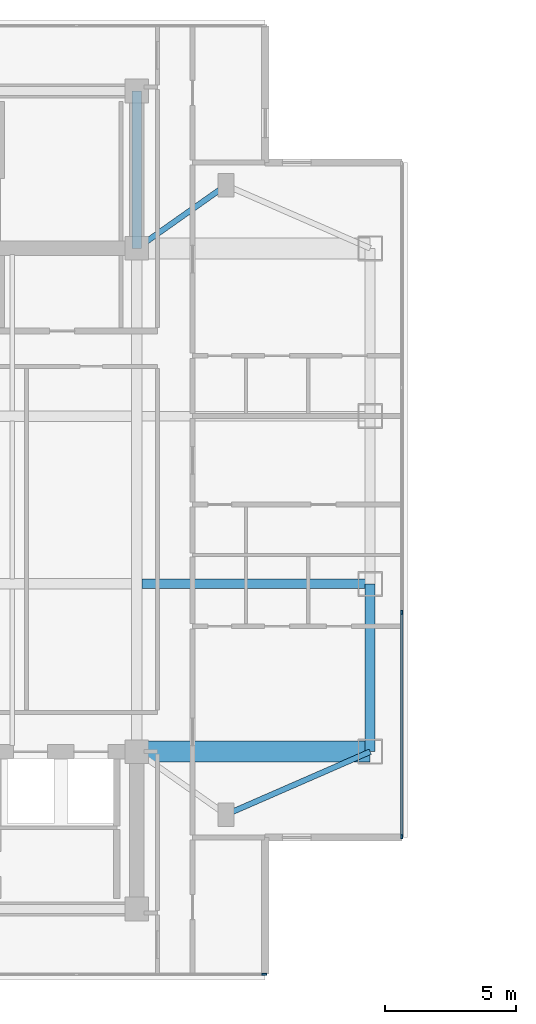
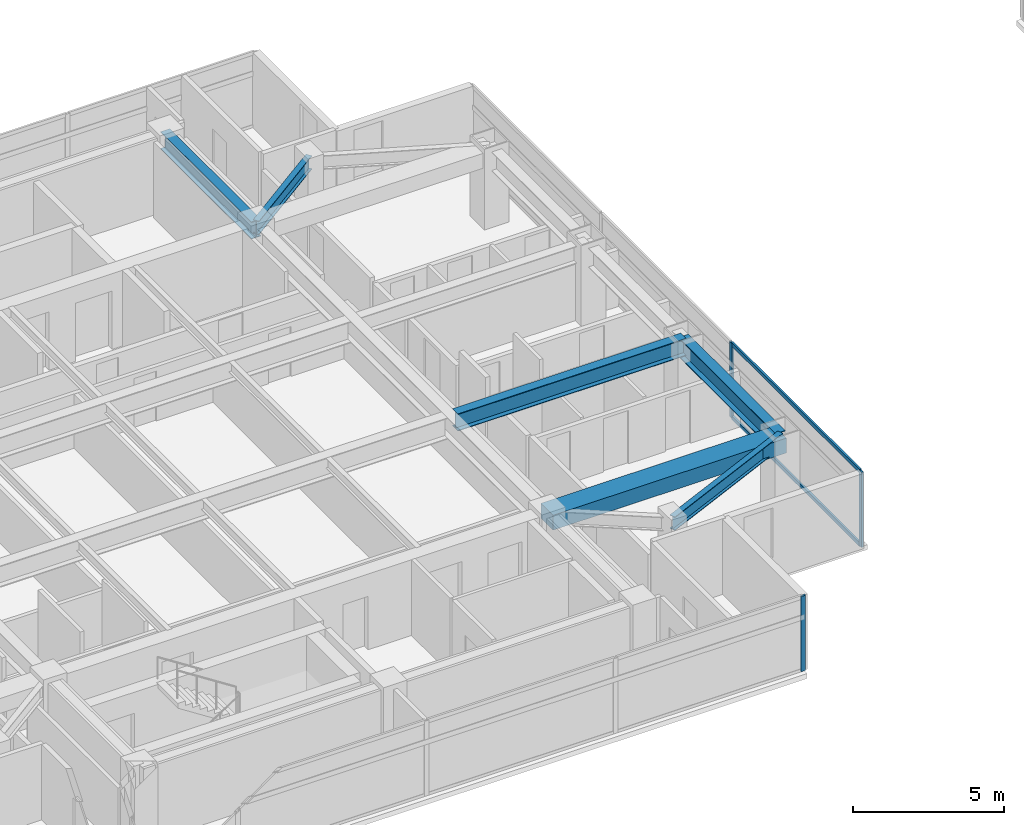
# One storey, part 4 of 24: 6 beams, 5 members, 2 elements without a shape of their own.
"""IFC4 building model written with IfcOpenShell, lengths in metres."""

from ifc_helpers import new_model, si_unit, direction, frame, origin, origin_2d, place, context, subcontext, project, spatial, rectangle, i_section, extrude, material, material_profile, profile_set, type_object, element, aggregate, save


model = new_model("IFC4")

# Units and contexts
model_context = context("Model", 3, precision=1e-05, world=origin(), true_north=direction((0.0, 1.0)))
body_context = subcontext(model_context, "Body", "Model", "MODEL_VIEW")
ifc_project = project(units=[si_unit("LENGTHUNIT", "METRE"), si_unit("AREAUNIT", "SQUARE_METRE"), si_unit("VOLUMEUNIT", "CUBIC_METRE"), si_unit("PLANEANGLEUNIT", "RADIAN"), si_unit("MASSUNIT", "GRAM", prefix="KILO")], contexts=[model_context])

# Site, building, storey
site_placement = place(None, origin())
site = spatial("IfcSite", under=ifc_project, at=site_placement, CompositionType="ELEMENT")
building_placement = place(site_placement, origin())
building = spatial("IfcBuilding", under=site, at=building_placement, Name="Mirazonda Arch Towers", CompositionType="ELEMENT")
storey_placement = place(building_placement, frame((0.0, 0.0, 186.89990234375)))
storey = spatial("IfcBuildingStorey", under=building, at=storey_placement, Name="L53", CompositionType="ELEMENT", Elevation=186.89990234375)

# Beams
ifc_material_1 = material(Name="Steel ASTM A992 Grade 50", Category="steel")
ifc_material_profile_1 = material_profile(ifc_material_1, i_section(OverallWidth=0.381103515625, OverallDepth=0.77294921875, WebThickness=0.0166015625, FlangeThickness=0.027099609375, at=origin_2d()), Name="W30X173")
ifc_profile_set_1 = profile_set([ifc_material_profile_1], Name="Steel ASTM A992 Grade 50")
beam_type_1 = type_object("IfcBeamType", Name="BM-EXT-W30X173", PredefinedType="USERDEFINED", material=ifc_profile_set_1)
beam_1_placement = place(storey_placement, frame((38.89990234375, 18.39990234375, 2.66357421875), z_axis=(0.0, 1.0, 0.0), x_axis=(-1.0, 0.0, 0.0)))
element("IfcBeam", 1, at=beam_1_placement, inside=storey, type_object=beam_type_1, Name="L53 Floor Beam BM-T1-L53-NS-E-18", ObjectType="GIRDER", PredefinedType="USERDEFINED", context=body_context, shape_type="SweptSolid", body=[
    extrude(i_section(OverallWidth=0.381103515625, OverallDepth=0.77294921875, WebThickness=0.0166015625, FlangeThickness=0.027099609375, at=origin_2d()), origin(), (0.0, 0.0, 1.0), 6.400146484375),
])
ifc_material_profile_2 = material_profile(ifc_material_1, i_section(OverallWidth=0.214111328125, OverallDepth=0.549072265625, WebThickness=0.0146484375, FlangeThickness=0.023681640625, at=origin_2d()), Name="W21X93")
ifc_profile_set_2 = profile_set([ifc_material_profile_2], Name="Steel ASTM A992 Grade 50")
beam_type_2 = type_object("IfcBeamType", Name="BM-INT-W21X93", PredefinedType="BEAM", material=ifc_profile_set_2)
beam_2_placement = place(storey_placement, frame((33.39990234375, 16.0, 2.775634765625), z_axis=(0.916545343703, 0.399930785183, 0.0), x_axis=(-0.399930785183, 0.916545343703, 0.0)))
element("IfcBeam", 2, at=beam_2_placement, inside=storey, type_object=beam_type_2, Name="L53 Floor Beam BM-T1-L53-PL-SE2", PredefinedType="BEAM", context=body_context, shape_type="SweptSolid", body=[
    extrude(i_section(OverallWidth=0.214111328125, OverallDepth=0.549072265625, WebThickness=0.0146484375, FlangeThickness=0.023681640625, at=origin_2d()), origin(), (0.0, 0.0, 1.0), 6.000732421875),
])
beam_3_placement = place(storey_placement, frame((33.39990234375, 40.0, 2.775634765625), z_axis=(-0.816971114901, -0.576678591087, 0.0), x_axis=(0.576678591087, -0.816971114901, 0.0)))
element("IfcBeam", 3, at=beam_3_placement, inside=storey, type_object=beam_type_2, Name="L53 Floor Beam BM-T1-L53-PL-NE1", PredefinedType="BEAM", context=body_context, shape_type="SweptSolid", body=[
    extrude(i_section(OverallWidth=0.214111328125, OverallDepth=0.549072265625, WebThickness=0.0146484375, FlangeThickness=0.023681640625, at=origin_2d()), origin(), (0.0, 0.0, 1.0), 4.16162109375),
])
ifc_material_profile_3 = material_profile(ifc_material_1, i_section(OverallWidth=0.35498046875, OverallDepth=0.696044921875, WebThickness=0.015380859375, FlangeThickness=0.02490234375, at=origin_2d()), Name="W27X146")
ifc_profile_set_3 = profile_set([ifc_material_profile_3], Name="Steel ASTM A992 Grade 50")
beam_type_3 = type_object("IfcBeamType", Name="BM-INT-W27X146", PredefinedType="BEAM", material=ifc_profile_set_3)
beam_4_placement = place(storey_placement, frame((30.199951171875, 24.800048828125, 2.7021484375), z_axis=(1.0, 0.0, 0.0), x_axis=(0.0, 1.0, 0.0)))
element("IfcBeam", 4, at=beam_4_placement, inside=storey, type_object=beam_type_3, Name="L53 Floor Beam BM-T1-L53-GE2", PredefinedType="BEAM", context=body_context, shape_type="SweptSolid", body=[
    extrude(i_section(OverallWidth=0.35498046875, OverallDepth=0.696044921875, WebThickness=0.015380859375, FlangeThickness=0.02490234375, at=origin_2d()), origin(), (0.0, 0.0, 1.0), 8.699951171875),
])
beam_5_placement = place(storey_placement, frame((30.0, 37.60009765625, 2.7021484375), z_axis=(0.0, 1.0, 0.0), x_axis=(-1.0, 0.0, 0.0)))
element("IfcBeam", 5, at=beam_5_placement, inside=storey, type_object=beam_type_3, Name="L53 Floor Beam BM-T1-L53-CNE", PredefinedType="BEAM", context=body_context, shape_type="SweptSolid", body=[
    extrude(i_section(OverallWidth=0.35498046875, OverallDepth=0.696044921875, WebThickness=0.015380859375, FlangeThickness=0.02490234375, at=origin_2d()), origin(), (0.0, 0.0, 1.0), 6.0),
])
ifc_material_2 = material(Name="Concrete C60/75", Category="concrete")
ifc_material_profile_4 = material_profile(ifc_material_2, rectangle(XDim=0.800048828125, YDim=0.60009765625, at=origin_2d()), Name="RCCB800x600")
ifc_profile_set_4 = profile_set([ifc_material_profile_4], Name="Concrete C60/75")
beam_type_4 = type_object("IfcBeamType", Name="CB-INT-RCCB800x600", PredefinedType="SPANDREL", material=ifc_profile_set_4)
beam_6_placement = place(storey_placement, frame((30.0, 18.39990234375, 2.75), z_axis=(1.0, 0.0, 0.0), x_axis=(0.0, 1.0, 0.0)))
element("IfcBeam", 6, at=beam_6_placement, inside=storey, type_object=beam_type_4, Name="L53 Floor Beam CBC-T1-L53-SE", PredefinedType="SPANDREL", context=body_context, shape_type="SweptSolid", body=[
    extrude(rectangle(XDim=0.800048828125, YDim=0.60009765625, at=origin_2d()), origin(), (0.0, 0.0, 1.0), 8.89990234375),
])

# Curtain wall, member
ifc_material_3 = material(Name="Anodised Aluminium and Low-E Glass", Category="aluminium")
curtain_wall_type = type_object("IfcCurtainWallType", Name="CW-RES-UNIT", PredefinedType="NOTDEFINED", material=ifc_material_3)
curtain_wall_1_placement = place(storey_placement, origin())
curtain_wall_1 = element("IfcCurtainWall", 7, at=curtain_wall_1_placement, inside=storey, type_object=curtain_wall_type, Name="L53 T1 S Facade CW-L53-T1-S", PredefinedType="NOTDEFINED")
ifc_material_4 = material(Name="Anodised Aluminium Alloy", Category="aluminium")
ifc_material_profile_5 = material_profile(ifc_material_4, rectangle(XDim=0.074951171875, YDim=0.175048828125, at=origin_2d()), Name="ALU-MULL-75x175")
ifc_profile_set_5 = profile_set([ifc_material_profile_5], Name="Anodised Aluminium Alloy")
member_type_1 = type_object("IfcMemberType", Name="MULL-CW-RES-UNIT", PredefinedType="MULLION", material=ifc_profile_set_5)
member_1_placement = place(storey_placement, frame((34.857421875, 9.912109375, 0.0), z_axis=(0.0, 0.0, 1.0), x_axis=(0.0, -1.0, 0.0)))
member_1 = element("IfcMember", 8, at=member_1_placement, type_object=member_type_1, Name="CW-104 mullion 1", PredefinedType="MULLION", context=body_context, shape_type="SweptSolid", body=[
    extrude(rectangle(XDim=0.074951171875, YDim=0.175048828125, at=origin_2d()), origin(), (0.0, 0.0, 1.0), 3.030029296875),
])
aggregate(curtain_wall_1, [member_1])

# Curtain wall, members
curtain_wall_2_placement = place(storey_placement, origin())
curtain_wall_2 = element("IfcCurtainWall", 9, at=curtain_wall_2_placement, inside=storey, type_object=curtain_wall_type, Name="L53 T1 E Facade CW-L53-T1-E", PredefinedType="NOTDEFINED")
member_2_placement = place(storey_placement, frame((40.110107421875, 15.16455078125, 0.0), z_axis=(0.0, 0.0, 1.0), x_axis=(-1.0, 0.0, 0.0)))
member_2 = element("IfcMember", 10, at=member_2_placement, type_object=member_type_1, Name="CW-104 mullion 1", PredefinedType="MULLION", context=body_context, shape_type="SweptSolid", body=[
    extrude(rectangle(XDim=0.074951171875, YDim=0.175048828125, at=origin_2d()), origin(), (0.0, 0.0, 1.0), 3.030029296875),
])
member_3_placement = place(storey_placement, frame((40.110107421875, 23.708984375, 0.0), z_axis=(0.0, 0.0, 1.0), x_axis=(-1.0, 0.0, 0.0)))
member_3 = element("IfcMember", 11, at=member_3_placement, type_object=member_type_1, Name="CW-104 mullion 2", PredefinedType="MULLION", context=body_context, shape_type="SweptSolid", body=[
    extrude(rectangle(XDim=0.074951171875, YDim=0.175048828125, at=origin_2d()), origin(), (0.0, 0.0, 1.0), 3.030029296875),
])
ifc_material_profile_6 = material_profile(ifc_material_4, rectangle(XDim=0.074951171875, YDim=0.155029296875, at=origin_2d()), Name="ALU-TRAN-75x155")
ifc_profile_set_6 = profile_set([ifc_material_profile_6], Name="Anodised Aluminium Alloy")
member_type_2 = type_object("IfcMemberType", Name="TRAN-CW-RES-UNIT", PredefinedType="USERDEFINED", material=ifc_profile_set_6)
member_4_placement = place(storey_placement, frame((40.110107421875, 15.201904296875, 0.03759765625), z_axis=(0.0, 1.0, 0.0), x_axis=(-1.0, 0.0, 0.0)))
member_4 = element("IfcMember", 12, at=member_4_placement, type_object=member_type_2, Name="CW-104 transom 1.1", ObjectType="TRANSOM", PredefinedType="USERDEFINED", context=body_context, shape_type="SweptSolid", body=[
    extrude(rectangle(XDim=0.074951171875, YDim=0.155029296875, at=origin_2d()), origin(), (0.0, 0.0, 1.0), 8.469482421875),
])
member_5_placement = place(storey_placement, frame((40.110107421875, 15.201904296875, 2.99267578125), z_axis=(0.0, 1.0, 0.0), x_axis=(-1.0, 0.0, 0.0)))
member_5 = element("IfcMember", 13, at=member_5_placement, type_object=member_type_2, Name="CW-104 transom 1.2", ObjectType="TRANSOM", PredefinedType="USERDEFINED", context=body_context, shape_type="SweptSolid", body=[
    extrude(rectangle(XDim=0.074951171875, YDim=0.155029296875, at=origin_2d()), origin(), (0.0, 0.0, 1.0), 8.469482421875),
])
aggregate(curtain_wall_2, [member_2, member_3, member_4, member_5])

save(model, "model.ifc")
